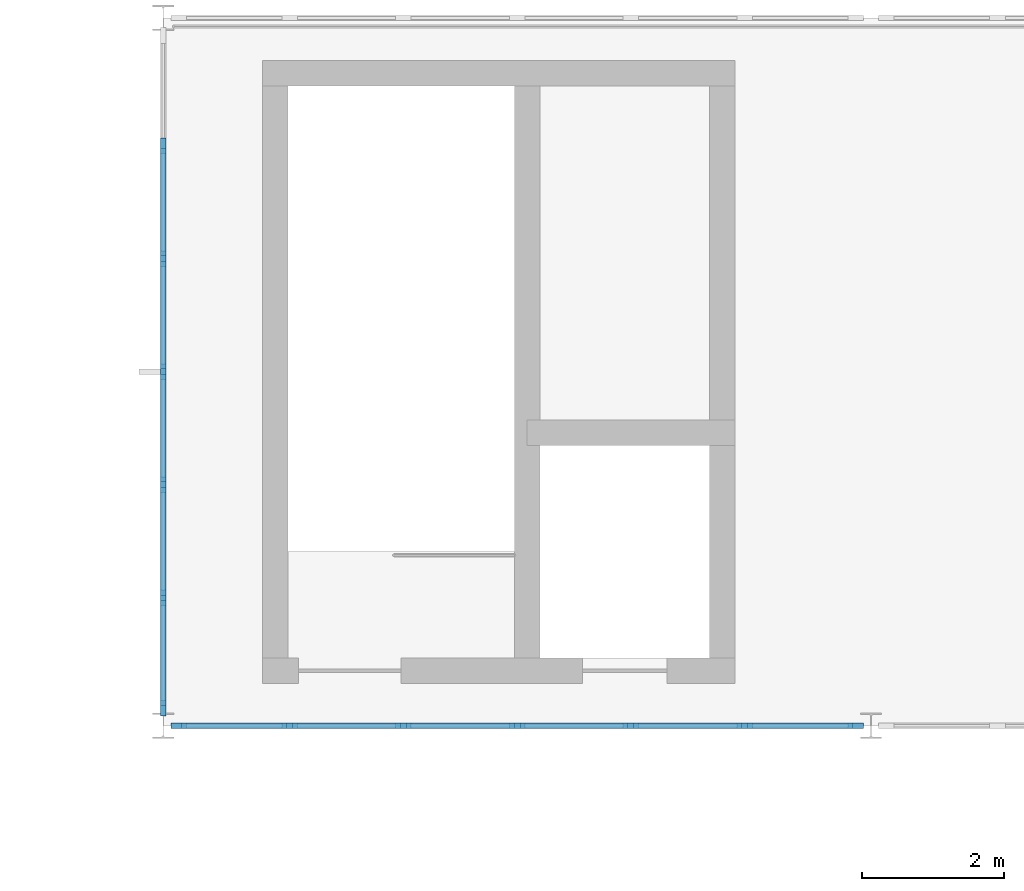
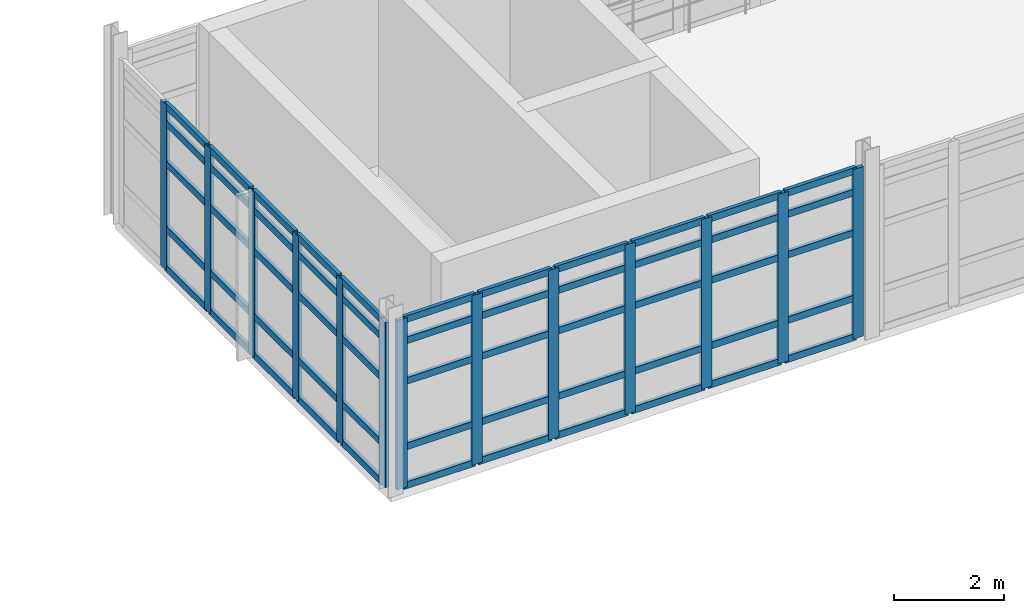
# One storey, part 36 of 122: 68 members, 2 elements without a shape of their own.
"""IFC4 building model written with IfcOpenShell, lengths in metres."""

from ifc_helpers import new_model, si_unit, direction, frame, origin, origin_2d, place, context, subcontext, project, spatial, rectangle, extrude, material, layer, layer_set, material_profile, profile_set, type_object, element, aggregate, save


model = new_model("IFC4")

# Units and contexts
model_context = context("Model", 3, precision=1e-05, world=origin(), true_north=direction((0.0, 1.0)))
body_context = subcontext(model_context, "Body", "Model", "MODEL_VIEW")
ifc_project = project(units=[si_unit("LENGTHUNIT", "METRE"), si_unit("AREAUNIT", "SQUARE_METRE"), si_unit("VOLUMEUNIT", "CUBIC_METRE"), si_unit("PLANEANGLEUNIT", "RADIAN"), si_unit("MASSUNIT", "GRAM", prefix="KILO"), si_unit("THERMODYNAMICTEMPERATUREUNIT", "KELVIN"), si_unit("POWERUNIT", "WATT")], contexts=[model_context])

# Site, building, storey
site_placement = place(None, origin())
site = spatial("IfcSite", under=ifc_project, at=site_placement, CompositionType="ELEMENT")
building_placement = place(site_placement, origin())
building = spatial("IfcBuilding", under=site, at=building_placement, Name="Korenveer Ferry Terminal", CompositionType="ELEMENT")
storey_placement = place(building_placement, frame((0.0, 0.0, 10.199951171875)))
storey = spatial("IfcBuildingStorey", under=building, at=storey_placement, Name="L02", CompositionType="ELEMENT", Elevation=10.199951171875)

# Curtain wall, members
ifc_material_1 = material(Name="Unitised bronze-and-glass curtain wall", Category="glass")
ifc_layer_1 = layer(ifc_material_1, 0.219970703125)
ifc_layer_set_1 = layer_set([ifc_layer_1], Name="Unitised bronze-and-glass curtain wall")
curtain_wall_type_1 = type_object("IfcCurtainWallType", Name="ENV-CW-90", PredefinedType="USERDEFINED", material=ifc_layer_set_1)
curtain_wall_1_placement = place(storey_placement, frame((53.179931640625, 50.0, 0.0)))
curtain_wall_1 = element("IfcCurtainWall", 1, at=curtain_wall_1_placement, inside=storey, type_object=curtain_wall_type_1, Name="Lancet curtain wall CWX-L02-X53-63-Y50-50", ObjectType="UNITISED CURTAIN WALL", PredefinedType="USERDEFINED")
ifc_material_2 = material(Name="Anodised bronze aluminium", Category="aluminium")
ifc_material_profile_1 = material_profile(ifc_material_2, rectangle(XDim=0.074951171875, YDim=0.219970703125, at=origin_2d()), Name="ALU 75x220")
ifc_profile_set_1 = profile_set([ifc_material_profile_1], Name="Anodised bronze aluminium")
member_type_1 = type_object("IfcMemberType", Name="ENV-CWM-75X220", PredefinedType="MULLION", material=ifc_profile_set_1)
member_1_placement = place(storey_placement, frame((53.217529296875, 50.0, 0.0), z_axis=(0.0, 0.0, 1.0), x_axis=(0.0, 1.0, 0.0)))
member_1 = element("IfcMember", 2, at=member_1_placement, type_object=member_type_1, Name="CW-90 mullion 1", PredefinedType="MULLION", context=body_context, shape_type="SweptSolid", body=[
    extrude(rectangle(XDim=0.074951171875, YDim=0.219970703125, at=origin_2d()), origin(), (0.0, 0.0, 1.0), 3.760009765625),
])
member_2_placement = place(storey_placement, frame((54.78662109375, 50.0, 0.0), z_axis=(0.0, 0.0, 1.0), x_axis=(0.0, 1.0, 0.0)))
member_2 = element("IfcMember", 3, at=member_2_placement, type_object=member_type_1, Name="CW-90 mullion 2", PredefinedType="MULLION", context=body_context, shape_type="SweptSolid", body=[
    extrude(rectangle(XDim=0.074951171875, YDim=0.219970703125, at=origin_2d()), origin(), (0.0, 0.0, 1.0), 3.760009765625),
])
member_3_placement = place(storey_placement, frame((56.393310546875, 50.0, 0.0), z_axis=(0.0, 0.0, 1.0), x_axis=(0.0, 1.0, 0.0)))
member_3 = element("IfcMember", 4, at=member_3_placement, type_object=member_type_1, Name="CW-90 mullion 3", PredefinedType="MULLION", context=body_context, shape_type="SweptSolid", body=[
    extrude(rectangle(XDim=0.074951171875, YDim=0.219970703125, at=origin_2d()), origin(), (0.0, 0.0, 1.0), 3.760009765625),
])
member_4_placement = place(storey_placement, frame((58.0, 50.0, 0.0), z_axis=(0.0, 0.0, 1.0), x_axis=(0.0, 1.0, 0.0)))
member_4 = element("IfcMember", 5, at=member_4_placement, type_object=member_type_1, Name="CW-90 mullion 4", PredefinedType="MULLION", context=body_context, shape_type="SweptSolid", body=[
    extrude(rectangle(XDim=0.074951171875, YDim=0.219970703125, at=origin_2d()), origin(), (0.0, 0.0, 1.0), 3.760009765625),
])
member_5_placement = place(storey_placement, frame((59.606689453125, 50.0, 0.0), z_axis=(0.0, 0.0, 1.0), x_axis=(0.0, 1.0, 0.0)))
member_5 = element("IfcMember", 6, at=member_5_placement, type_object=member_type_1, Name="CW-90 mullion 5", PredefinedType="MULLION", context=body_context, shape_type="SweptSolid", body=[
    extrude(rectangle(XDim=0.074951171875, YDim=0.219970703125, at=origin_2d()), origin(), (0.0, 0.0, 1.0), 3.760009765625),
])
member_6_placement = place(storey_placement, frame((61.21337890625, 50.0, 0.0), z_axis=(0.0, 0.0, 1.0), x_axis=(0.0, 1.0, 0.0)))
member_6 = element("IfcMember", 7, at=member_6_placement, type_object=member_type_1, Name="CW-90 mullion 6", PredefinedType="MULLION", context=body_context, shape_type="SweptSolid", body=[
    extrude(rectangle(XDim=0.074951171875, YDim=0.219970703125, at=origin_2d()), origin(), (0.0, 0.0, 1.0), 3.760009765625),
])
member_7_placement = place(storey_placement, frame((62.782470703125, 50.0, 0.0), z_axis=(0.0, 0.0, 1.0), x_axis=(0.0, 1.0, 0.0)))
member_7 = element("IfcMember", 8, at=member_7_placement, type_object=member_type_1, Name="CW-90 mullion 7", PredefinedType="MULLION", context=body_context, shape_type="SweptSolid", body=[
    extrude(rectangle(XDim=0.074951171875, YDim=0.219970703125, at=origin_2d()), origin(), (0.0, 0.0, 1.0), 3.760009765625),
])

ifc_layer_2 = layer(ifc_material_1, 0.219970703125)
ifc_layer_set_2 = layer_set([ifc_layer_2], Name="Unitised bronze-and-glass curtain wall")
curtain_wall_type_2 = type_object("IfcCurtainWallType", Name="ENV-CW-115", PredefinedType="USERDEFINED", material=ifc_layer_set_2)
curtain_wall_2_placement = place(storey_placement, frame((53.0, 50.2099609375, 0.0)))
curtain_wall_2 = element("IfcCurtainWall", 9, at=curtain_wall_2_placement, inside=storey, type_object=curtain_wall_type_2, Name="Lancet curtain wall CWX-L02-X53-53-Y50-60", ObjectType="UNITISED CURTAIN WALL", PredefinedType="USERDEFINED")
member_8_placement = place(storey_placement, frame((53.0, 50.24755859375, 0.0), z_axis=(0.0, 0.0, 1.0), x_axis=(-1.0, 0.0, 0.0)))
member_8 = element("IfcMember", 10, at=member_8_placement, type_object=member_type_1, Name="CW-115 mullion 1", PredefinedType="MULLION", context=body_context, shape_type="SweptSolid", body=[
    extrude(rectangle(XDim=0.074951171875, YDim=0.219970703125, at=origin_2d()), origin(), (0.0, 0.0, 1.0), 3.66015625),
])
member_9_placement = place(storey_placement, frame((53.0, 51.806640625, 0.0), z_axis=(0.0, 0.0, 1.0), x_axis=(-1.0, 0.0, 0.0)))
member_9 = element("IfcMember", 11, at=member_9_placement, type_object=member_type_1, Name="CW-115 mullion 2", PredefinedType="MULLION", context=body_context, shape_type="SweptSolid", body=[
    extrude(rectangle(XDim=0.074951171875, YDim=0.219970703125, at=origin_2d()), origin(), (0.0, 0.0, 1.0), 3.66015625),
])
member_10_placement = place(storey_placement, frame((53.0, 53.4033203125, 0.0), z_axis=(0.0, 0.0, 1.0), x_axis=(-1.0, 0.0, 0.0)))
member_10 = element("IfcMember", 12, at=member_10_placement, type_object=member_type_1, Name="CW-115 mullion 3", PredefinedType="MULLION", context=body_context, shape_type="SweptSolid", body=[
    extrude(rectangle(XDim=0.074951171875, YDim=0.219970703125, at=origin_2d()), origin(), (0.0, 0.0, 1.0), 3.66015625),
])
member_11_placement = place(storey_placement, frame((53.0, 55.0, 0.0), z_axis=(0.0, 0.0, 1.0), x_axis=(-1.0, 0.0, 0.0)))
member_11 = element("IfcMember", 13, at=member_11_placement, type_object=member_type_1, Name="CW-115 mullion 4", PredefinedType="MULLION", context=body_context, shape_type="SweptSolid", body=[
    extrude(rectangle(XDim=0.074951171875, YDim=0.219970703125, at=origin_2d()), origin(), (0.0, 0.0, 1.0), 3.66015625),
])
member_12_placement = place(storey_placement, frame((53.0, 56.5966796875, 0.0), z_axis=(0.0, 0.0, 1.0), x_axis=(-1.0, 0.0, 0.0)))
member_12 = element("IfcMember", 14, at=member_12_placement, type_object=member_type_1, Name="CW-115 mullion 5", PredefinedType="MULLION", context=body_context, shape_type="SweptSolid", body=[
    extrude(rectangle(XDim=0.074951171875, YDim=0.219970703125, at=origin_2d()), origin(), (0.0, 0.0, 1.0), 3.66015625),
])
member_13_placement = place(storey_placement, frame((53.0, 58.193359375, 0.0), z_axis=(0.0, 0.0, 1.0), x_axis=(-1.0, 0.0, 0.0)))
member_13 = element("IfcMember", 15, at=member_13_placement, type_object=member_type_1, Name="CW-115 mullion 6", PredefinedType="MULLION", context=body_context, shape_type="SweptSolid", body=[
    extrude(rectangle(XDim=0.074951171875, YDim=0.219970703125, at=origin_2d()), origin(), (0.0, 0.0, 1.0), 3.66015625),
])

# Member
ifc_material_profile_2 = material_profile(ifc_material_2, rectangle(XDim=0.074951171875, YDim=0.14990234375, at=origin_2d()), Name="ALU 75x150")
ifc_profile_set_2 = profile_set([ifc_material_profile_2], Name="Anodised bronze aluminium")
member_type_2 = type_object("IfcMemberType", Name="ENV-CWT-75X150", PredefinedType="USERDEFINED", material=ifc_profile_set_2)
member_14_placement = place(storey_placement, frame((53.2548828125, 50.0, 0.03759765625), z_axis=(1.0, 0.0, 0.0), x_axis=(0.0, 1.0, 0.0)))
member_14 = element("IfcMember", 16, at=member_14_placement, type_object=member_type_2, Name="CW-90 transom 1.1", ObjectType="TRANSOM", PredefinedType="USERDEFINED", context=body_context, shape_type="SweptSolid", body=[
    extrude(rectangle(XDim=0.074951171875, YDim=0.14990234375, at=origin_2d()), origin(), (0.0, 0.0, 1.0), 1.494384765625),
])

member_15_placement = place(storey_placement, frame((53.2548828125, 50.0, 0.900146484375), z_axis=(1.0, 0.0, 0.0), x_axis=(0.0, 1.0, 0.0)))
member_15 = element("IfcMember", 17, at=member_15_placement, type_object=member_type_2, Name="CW-90 transom 1.2", ObjectType="TRANSOM", PredefinedType="USERDEFINED", context=body_context, shape_type="SweptSolid", body=[
    extrude(rectangle(XDim=0.074951171875, YDim=0.14990234375, at=origin_2d()), origin(), (0.0, 0.0, 1.0), 1.494384765625),
])

member_16_placement = place(storey_placement, frame((53.2548828125, 50.0, 2.35009765625), z_axis=(1.0, 0.0, 0.0), x_axis=(0.0, 1.0, 0.0)))
member_16 = element("IfcMember", 18, at=member_16_placement, type_object=member_type_2, Name="CW-90 transom 1.3", ObjectType="TRANSOM", PredefinedType="USERDEFINED", context=body_context, shape_type="SweptSolid", body=[
    extrude(rectangle(XDim=0.074951171875, YDim=0.14990234375, at=origin_2d()), origin(), (0.0, 0.0, 1.0), 1.494384765625),
])

member_17_placement = place(storey_placement, frame((53.2548828125, 50.0, 3.25), z_axis=(1.0, 0.0, 0.0), x_axis=(0.0, 1.0, 0.0)))
member_17 = element("IfcMember", 19, at=member_17_placement, type_object=member_type_2, Name="CW-90 transom 1.4", ObjectType="TRANSOM", PredefinedType="USERDEFINED", context=body_context, shape_type="SweptSolid", body=[
    extrude(rectangle(XDim=0.074951171875, YDim=0.14990234375, at=origin_2d()), origin(), (0.0, 0.0, 1.0), 1.494384765625),
])

member_18_placement = place(storey_placement, frame((53.2548828125, 50.0, 3.72265625), z_axis=(1.0, 0.0, 0.0), x_axis=(0.0, 1.0, 0.0)))
member_18 = element("IfcMember", 20, at=member_18_placement, type_object=member_type_2, Name="CW-90 transom 1.5", ObjectType="TRANSOM", PredefinedType="USERDEFINED", context=body_context, shape_type="SweptSolid", body=[
    extrude(rectangle(XDim=0.074951171875, YDim=0.14990234375, at=origin_2d()), origin(), (0.0, 0.0, 1.0), 1.494384765625),
])

member_19_placement = place(storey_placement, frame((54.82421875, 50.0, 0.03759765625), z_axis=(1.0, 0.0, 0.0), x_axis=(0.0, 1.0, 0.0)))
member_19 = element("IfcMember", 21, at=member_19_placement, type_object=member_type_2, Name="CW-90 transom 2.1", ObjectType="TRANSOM", PredefinedType="USERDEFINED", context=body_context, shape_type="SweptSolid", body=[
    extrude(rectangle(XDim=0.074951171875, YDim=0.14990234375, at=origin_2d()), origin(), (0.0, 0.0, 1.0), 1.531494140625),
])

member_20_placement = place(storey_placement, frame((54.82421875, 50.0, 0.900146484375), z_axis=(1.0, 0.0, 0.0), x_axis=(0.0, 1.0, 0.0)))
member_20 = element("IfcMember", 22, at=member_20_placement, type_object=member_type_2, Name="CW-90 transom 2.2", ObjectType="TRANSOM", PredefinedType="USERDEFINED", context=body_context, shape_type="SweptSolid", body=[
    extrude(rectangle(XDim=0.074951171875, YDim=0.14990234375, at=origin_2d()), origin(), (0.0, 0.0, 1.0), 1.531494140625),
])

member_21_placement = place(storey_placement, frame((54.82421875, 50.0, 2.35009765625), z_axis=(1.0, 0.0, 0.0), x_axis=(0.0, 1.0, 0.0)))
member_21 = element("IfcMember", 23, at=member_21_placement, type_object=member_type_2, Name="CW-90 transom 2.3", ObjectType="TRANSOM", PredefinedType="USERDEFINED", context=body_context, shape_type="SweptSolid", body=[
    extrude(rectangle(XDim=0.074951171875, YDim=0.14990234375, at=origin_2d()), origin(), (0.0, 0.0, 1.0), 1.531494140625),
])

member_22_placement = place(storey_placement, frame((54.82421875, 50.0, 3.25), z_axis=(1.0, 0.0, 0.0), x_axis=(0.0, 1.0, 0.0)))
member_22 = element("IfcMember", 24, at=member_22_placement, type_object=member_type_2, Name="CW-90 transom 2.4", ObjectType="TRANSOM", PredefinedType="USERDEFINED", context=body_context, shape_type="SweptSolid", body=[
    extrude(rectangle(XDim=0.074951171875, YDim=0.14990234375, at=origin_2d()), origin(), (0.0, 0.0, 1.0), 1.531494140625),
])

member_23_placement = place(storey_placement, frame((54.82421875, 50.0, 3.72265625), z_axis=(1.0, 0.0, 0.0), x_axis=(0.0, 1.0, 0.0)))
member_23 = element("IfcMember", 25, at=member_23_placement, type_object=member_type_2, Name="CW-90 transom 2.5", ObjectType="TRANSOM", PredefinedType="USERDEFINED", context=body_context, shape_type="SweptSolid", body=[
    extrude(rectangle(XDim=0.074951171875, YDim=0.14990234375, at=origin_2d()), origin(), (0.0, 0.0, 1.0), 1.531494140625),
])

member_24_placement = place(storey_placement, frame((56.430908203125, 50.0, 0.03759765625), z_axis=(1.0, 0.0, 0.0), x_axis=(0.0, 1.0, 0.0)))
member_24 = element("IfcMember", 26, at=member_24_placement, type_object=member_type_2, Name="CW-90 transom 3.1", ObjectType="TRANSOM", PredefinedType="USERDEFINED", context=body_context, shape_type="SweptSolid", body=[
    extrude(rectangle(XDim=0.074951171875, YDim=0.14990234375, at=origin_2d()), origin(), (0.0, 0.0, 1.0), 1.531494140625),
])

member_25_placement = place(storey_placement, frame((56.430908203125, 50.0, 0.900146484375), z_axis=(1.0, 0.0, 0.0), x_axis=(0.0, 1.0, 0.0)))
member_25 = element("IfcMember", 27, at=member_25_placement, type_object=member_type_2, Name="CW-90 transom 3.2", ObjectType="TRANSOM", PredefinedType="USERDEFINED", context=body_context, shape_type="SweptSolid", body=[
    extrude(rectangle(XDim=0.074951171875, YDim=0.14990234375, at=origin_2d()), origin(), (0.0, 0.0, 1.0), 1.531494140625),
])

member_26_placement = place(storey_placement, frame((56.430908203125, 50.0, 2.35009765625), z_axis=(1.0, 0.0, 0.0), x_axis=(0.0, 1.0, 0.0)))
member_26 = element("IfcMember", 28, at=member_26_placement, type_object=member_type_2, Name="CW-90 transom 3.3", ObjectType="TRANSOM", PredefinedType="USERDEFINED", context=body_context, shape_type="SweptSolid", body=[
    extrude(rectangle(XDim=0.074951171875, YDim=0.14990234375, at=origin_2d()), origin(), (0.0, 0.0, 1.0), 1.531494140625),
])

member_27_placement = place(storey_placement, frame((56.430908203125, 50.0, 3.25), z_axis=(1.0, 0.0, 0.0), x_axis=(0.0, 1.0, 0.0)))
member_27 = element("IfcMember", 29, at=member_27_placement, type_object=member_type_2, Name="CW-90 transom 3.4", ObjectType="TRANSOM", PredefinedType="USERDEFINED", context=body_context, shape_type="SweptSolid", body=[
    extrude(rectangle(XDim=0.074951171875, YDim=0.14990234375, at=origin_2d()), origin(), (0.0, 0.0, 1.0), 1.531494140625),
])

member_28_placement = place(storey_placement, frame((56.430908203125, 50.0, 3.72265625), z_axis=(1.0, 0.0, 0.0), x_axis=(0.0, 1.0, 0.0)))
member_28 = element("IfcMember", 30, at=member_28_placement, type_object=member_type_2, Name="CW-90 transom 3.5", ObjectType="TRANSOM", PredefinedType="USERDEFINED", context=body_context, shape_type="SweptSolid", body=[
    extrude(rectangle(XDim=0.074951171875, YDim=0.14990234375, at=origin_2d()), origin(), (0.0, 0.0, 1.0), 1.531494140625),
])

member_29_placement = place(storey_placement, frame((58.03759765625, 50.0, 0.03759765625), z_axis=(1.0, 0.0, 0.0), x_axis=(0.0, 1.0, 0.0)))
member_29 = element("IfcMember", 31, at=member_29_placement, type_object=member_type_2, Name="CW-90 transom 4.1", ObjectType="TRANSOM", PredefinedType="USERDEFINED", context=body_context, shape_type="SweptSolid", body=[
    extrude(rectangle(XDim=0.074951171875, YDim=0.14990234375, at=origin_2d()), origin(), (0.0, 0.0, 1.0), 1.531494140625),
])

member_30_placement = place(storey_placement, frame((58.03759765625, 50.0, 0.900146484375), z_axis=(1.0, 0.0, 0.0), x_axis=(0.0, 1.0, 0.0)))
member_30 = element("IfcMember", 32, at=member_30_placement, type_object=member_type_2, Name="CW-90 transom 4.2", ObjectType="TRANSOM", PredefinedType="USERDEFINED", context=body_context, shape_type="SweptSolid", body=[
    extrude(rectangle(XDim=0.074951171875, YDim=0.14990234375, at=origin_2d()), origin(), (0.0, 0.0, 1.0), 1.531494140625),
])

member_31_placement = place(storey_placement, frame((58.03759765625, 50.0, 2.35009765625), z_axis=(1.0, 0.0, 0.0), x_axis=(0.0, 1.0, 0.0)))
member_31 = element("IfcMember", 33, at=member_31_placement, type_object=member_type_2, Name="CW-90 transom 4.3", ObjectType="TRANSOM", PredefinedType="USERDEFINED", context=body_context, shape_type="SweptSolid", body=[
    extrude(rectangle(XDim=0.074951171875, YDim=0.14990234375, at=origin_2d()), origin(), (0.0, 0.0, 1.0), 1.531494140625),
])

member_32_placement = place(storey_placement, frame((58.03759765625, 50.0, 3.25), z_axis=(1.0, 0.0, 0.0), x_axis=(0.0, 1.0, 0.0)))
member_32 = element("IfcMember", 34, at=member_32_placement, type_object=member_type_2, Name="CW-90 transom 4.4", ObjectType="TRANSOM", PredefinedType="USERDEFINED", context=body_context, shape_type="SweptSolid", body=[
    extrude(rectangle(XDim=0.074951171875, YDim=0.14990234375, at=origin_2d()), origin(), (0.0, 0.0, 1.0), 1.531494140625),
])

member_33_placement = place(storey_placement, frame((58.03759765625, 50.0, 3.72265625), z_axis=(1.0, 0.0, 0.0), x_axis=(0.0, 1.0, 0.0)))
member_33 = element("IfcMember", 35, at=member_33_placement, type_object=member_type_2, Name="CW-90 transom 4.5", ObjectType="TRANSOM", PredefinedType="USERDEFINED", context=body_context, shape_type="SweptSolid", body=[
    extrude(rectangle(XDim=0.074951171875, YDim=0.14990234375, at=origin_2d()), origin(), (0.0, 0.0, 1.0), 1.531494140625),
])

member_34_placement = place(storey_placement, frame((59.644287109375, 50.0, 0.03759765625), z_axis=(1.0, 0.0, 0.0), x_axis=(0.0, 1.0, 0.0)))
member_34 = element("IfcMember", 36, at=member_34_placement, type_object=member_type_2, Name="CW-90 transom 5.1", ObjectType="TRANSOM", PredefinedType="USERDEFINED", context=body_context, shape_type="SweptSolid", body=[
    extrude(rectangle(XDim=0.074951171875, YDim=0.14990234375, at=origin_2d()), origin(), (0.0, 0.0, 1.0), 1.531494140625),
])

member_35_placement = place(storey_placement, frame((59.644287109375, 50.0, 0.900146484375), z_axis=(1.0, 0.0, 0.0), x_axis=(0.0, 1.0, 0.0)))
member_35 = element("IfcMember", 37, at=member_35_placement, type_object=member_type_2, Name="CW-90 transom 5.2", ObjectType="TRANSOM", PredefinedType="USERDEFINED", context=body_context, shape_type="SweptSolid", body=[
    extrude(rectangle(XDim=0.074951171875, YDim=0.14990234375, at=origin_2d()), origin(), (0.0, 0.0, 1.0), 1.531494140625),
])

member_36_placement = place(storey_placement, frame((59.644287109375, 50.0, 2.35009765625), z_axis=(1.0, 0.0, 0.0), x_axis=(0.0, 1.0, 0.0)))
member_36 = element("IfcMember", 38, at=member_36_placement, type_object=member_type_2, Name="CW-90 transom 5.3", ObjectType="TRANSOM", PredefinedType="USERDEFINED", context=body_context, shape_type="SweptSolid", body=[
    extrude(rectangle(XDim=0.074951171875, YDim=0.14990234375, at=origin_2d()), origin(), (0.0, 0.0, 1.0), 1.531494140625),
])

member_37_placement = place(storey_placement, frame((59.644287109375, 50.0, 3.25), z_axis=(1.0, 0.0, 0.0), x_axis=(0.0, 1.0, 0.0)))
member_37 = element("IfcMember", 39, at=member_37_placement, type_object=member_type_2, Name="CW-90 transom 5.4", ObjectType="TRANSOM", PredefinedType="USERDEFINED", context=body_context, shape_type="SweptSolid", body=[
    extrude(rectangle(XDim=0.074951171875, YDim=0.14990234375, at=origin_2d()), origin(), (0.0, 0.0, 1.0), 1.531494140625),
])

member_38_placement = place(storey_placement, frame((59.644287109375, 50.0, 3.72265625), z_axis=(1.0, 0.0, 0.0), x_axis=(0.0, 1.0, 0.0)))
member_38 = element("IfcMember", 40, at=member_38_placement, type_object=member_type_2, Name="CW-90 transom 5.5", ObjectType="TRANSOM", PredefinedType="USERDEFINED", context=body_context, shape_type="SweptSolid", body=[
    extrude(rectangle(XDim=0.074951171875, YDim=0.14990234375, at=origin_2d()), origin(), (0.0, 0.0, 1.0), 1.531494140625),
])

member_39_placement = place(storey_placement, frame((61.250732421875, 50.0, 0.03759765625), z_axis=(1.0, 0.0, 0.0), x_axis=(0.0, 1.0, 0.0)))
member_39 = element("IfcMember", 41, at=member_39_placement, type_object=member_type_2, Name="CW-90 transom 6.1", ObjectType="TRANSOM", PredefinedType="USERDEFINED", context=body_context, shape_type="SweptSolid", body=[
    extrude(rectangle(XDim=0.074951171875, YDim=0.14990234375, at=origin_2d()), origin(), (0.0, 0.0, 1.0), 1.494384765625),
])

member_40_placement = place(storey_placement, frame((61.250732421875, 50.0, 0.900146484375), z_axis=(1.0, 0.0, 0.0), x_axis=(0.0, 1.0, 0.0)))
member_40 = element("IfcMember", 42, at=member_40_placement, type_object=member_type_2, Name="CW-90 transom 6.2", ObjectType="TRANSOM", PredefinedType="USERDEFINED", context=body_context, shape_type="SweptSolid", body=[
    extrude(rectangle(XDim=0.074951171875, YDim=0.14990234375, at=origin_2d()), origin(), (0.0, 0.0, 1.0), 1.494384765625),
])

member_41_placement = place(storey_placement, frame((61.250732421875, 50.0, 2.35009765625), z_axis=(1.0, 0.0, 0.0), x_axis=(0.0, 1.0, 0.0)))
member_41 = element("IfcMember", 43, at=member_41_placement, type_object=member_type_2, Name="CW-90 transom 6.3", ObjectType="TRANSOM", PredefinedType="USERDEFINED", context=body_context, shape_type="SweptSolid", body=[
    extrude(rectangle(XDim=0.074951171875, YDim=0.14990234375, at=origin_2d()), origin(), (0.0, 0.0, 1.0), 1.494384765625),
])

member_42_placement = place(storey_placement, frame((61.250732421875, 50.0, 3.25), z_axis=(1.0, 0.0, 0.0), x_axis=(0.0, 1.0, 0.0)))
member_42 = element("IfcMember", 44, at=member_42_placement, type_object=member_type_2, Name="CW-90 transom 6.4", ObjectType="TRANSOM", PredefinedType="USERDEFINED", context=body_context, shape_type="SweptSolid", body=[
    extrude(rectangle(XDim=0.074951171875, YDim=0.14990234375, at=origin_2d()), origin(), (0.0, 0.0, 1.0), 1.494384765625),
])

member_43_placement = place(storey_placement, frame((61.250732421875, 50.0, 3.72265625), z_axis=(1.0, 0.0, 0.0), x_axis=(0.0, 1.0, 0.0)))
member_43 = element("IfcMember", 45, at=member_43_placement, type_object=member_type_2, Name="CW-90 transom 6.5", ObjectType="TRANSOM", PredefinedType="USERDEFINED", context=body_context, shape_type="SweptSolid", body=[
    extrude(rectangle(XDim=0.074951171875, YDim=0.14990234375, at=origin_2d()), origin(), (0.0, 0.0, 1.0), 1.494384765625),
])

aggregate(curtain_wall_1, [member_1, member_2, member_3, member_4, member_5, member_6, member_7, member_14, member_15, member_16, member_17, member_18, member_19, member_20, member_21, member_22, member_23, member_24, member_25, member_26, member_27, member_28, member_29, member_30, member_31, member_32, member_33, member_34, member_35, member_36, member_37, member_38, member_39, member_40, member_41, member_42, member_43])

member_44_placement = place(storey_placement, frame((53.0, 50.284912109375, 0.03759765625), z_axis=(0.0, 1.0, 0.0), x_axis=(-1.0, 0.0, 0.0)))
member_44 = element("IfcMember", 46, at=member_44_placement, type_object=member_type_2, Name="CW-115 transom 1.1", ObjectType="TRANSOM", PredefinedType="USERDEFINED", context=body_context, shape_type="SweptSolid", body=[
    extrude(rectangle(XDim=0.074951171875, YDim=0.14990234375, at=origin_2d()), origin(), (0.0, 0.0, 1.0), 1.484375),
])

member_45_placement = place(storey_placement, frame((53.0, 50.284912109375, 0.900146484375), z_axis=(0.0, 1.0, 0.0), x_axis=(-1.0, 0.0, 0.0)))
member_45 = element("IfcMember", 47, at=member_45_placement, type_object=member_type_2, Name="CW-115 transom 1.2", ObjectType="TRANSOM", PredefinedType="USERDEFINED", context=body_context, shape_type="SweptSolid", body=[
    extrude(rectangle(XDim=0.074951171875, YDim=0.14990234375, at=origin_2d()), origin(), (0.0, 0.0, 1.0), 1.484375),
])

member_46_placement = place(storey_placement, frame((53.0, 50.284912109375, 2.35009765625), z_axis=(0.0, 1.0, 0.0), x_axis=(-1.0, 0.0, 0.0)))
member_46 = element("IfcMember", 48, at=member_46_placement, type_object=member_type_2, Name="CW-115 transom 1.3", ObjectType="TRANSOM", PredefinedType="USERDEFINED", context=body_context, shape_type="SweptSolid", body=[
    extrude(rectangle(XDim=0.074951171875, YDim=0.14990234375, at=origin_2d()), origin(), (0.0, 0.0, 1.0), 1.484375),
])

member_47_placement = place(storey_placement, frame((53.0, 50.284912109375, 3.25), z_axis=(0.0, 1.0, 0.0), x_axis=(-1.0, 0.0, 0.0)))
member_47 = element("IfcMember", 49, at=member_47_placement, type_object=member_type_2, Name="CW-115 transom 1.4", ObjectType="TRANSOM", PredefinedType="USERDEFINED", context=body_context, shape_type="SweptSolid", body=[
    extrude(rectangle(XDim=0.074951171875, YDim=0.14990234375, at=origin_2d()), origin(), (0.0, 0.0, 1.0), 1.484375),
])

member_48_placement = place(storey_placement, frame((53.0, 50.284912109375, 3.62255859375), z_axis=(0.0, 1.0, 0.0), x_axis=(-1.0, 0.0, 0.0)))
member_48 = element("IfcMember", 50, at=member_48_placement, type_object=member_type_2, Name="CW-115 transom 1.5", ObjectType="TRANSOM", PredefinedType="USERDEFINED", context=body_context, shape_type="SweptSolid", body=[
    extrude(rectangle(XDim=0.074951171875, YDim=0.14990234375, at=origin_2d()), origin(), (0.0, 0.0, 1.0), 1.484375),
])

member_49_placement = place(storey_placement, frame((53.0, 51.84423828125, 0.03759765625), z_axis=(0.0, 1.0, 0.0), x_axis=(-1.0, 0.0, 0.0)))
member_49 = element("IfcMember", 51, at=member_49_placement, type_object=member_type_2, Name="CW-115 transom 2.1", ObjectType="TRANSOM", PredefinedType="USERDEFINED", context=body_context, shape_type="SweptSolid", body=[
    extrude(rectangle(XDim=0.074951171875, YDim=0.14990234375, at=origin_2d()), origin(), (0.0, 0.0, 1.0), 1.521484375),
])

member_50_placement = place(storey_placement, frame((53.0, 51.84423828125, 0.900146484375), z_axis=(0.0, 1.0, 0.0), x_axis=(-1.0, 0.0, 0.0)))
member_50 = element("IfcMember", 52, at=member_50_placement, type_object=member_type_2, Name="CW-115 transom 2.2", ObjectType="TRANSOM", PredefinedType="USERDEFINED", context=body_context, shape_type="SweptSolid", body=[
    extrude(rectangle(XDim=0.074951171875, YDim=0.14990234375, at=origin_2d()), origin(), (0.0, 0.0, 1.0), 1.521484375),
])

member_51_placement = place(storey_placement, frame((53.0, 51.84423828125, 2.35009765625), z_axis=(0.0, 1.0, 0.0), x_axis=(-1.0, 0.0, 0.0)))
member_51 = element("IfcMember", 53, at=member_51_placement, type_object=member_type_2, Name="CW-115 transom 2.3", ObjectType="TRANSOM", PredefinedType="USERDEFINED", context=body_context, shape_type="SweptSolid", body=[
    extrude(rectangle(XDim=0.074951171875, YDim=0.14990234375, at=origin_2d()), origin(), (0.0, 0.0, 1.0), 1.521484375),
])

member_52_placement = place(storey_placement, frame((53.0, 51.84423828125, 3.25), z_axis=(0.0, 1.0, 0.0), x_axis=(-1.0, 0.0, 0.0)))
member_52 = element("IfcMember", 54, at=member_52_placement, type_object=member_type_2, Name="CW-115 transom 2.4", ObjectType="TRANSOM", PredefinedType="USERDEFINED", context=body_context, shape_type="SweptSolid", body=[
    extrude(rectangle(XDim=0.074951171875, YDim=0.14990234375, at=origin_2d()), origin(), (0.0, 0.0, 1.0), 1.521484375),
])

member_53_placement = place(storey_placement, frame((53.0, 51.84423828125, 3.62255859375), z_axis=(0.0, 1.0, 0.0), x_axis=(-1.0, 0.0, 0.0)))
member_53 = element("IfcMember", 55, at=member_53_placement, type_object=member_type_2, Name="CW-115 transom 2.5", ObjectType="TRANSOM", PredefinedType="USERDEFINED", context=body_context, shape_type="SweptSolid", body=[
    extrude(rectangle(XDim=0.074951171875, YDim=0.14990234375, at=origin_2d()), origin(), (0.0, 0.0, 1.0), 1.521484375),
])

member_54_placement = place(storey_placement, frame((53.0, 53.44091796875, 0.03759765625), z_axis=(0.0, 1.0, 0.0), x_axis=(-1.0, 0.0, 0.0)))
member_54 = element("IfcMember", 56, at=member_54_placement, type_object=member_type_2, Name="CW-115 transom 3.1", ObjectType="TRANSOM", PredefinedType="USERDEFINED", context=body_context, shape_type="SweptSolid", body=[
    extrude(rectangle(XDim=0.074951171875, YDim=0.14990234375, at=origin_2d()), origin(), (0.0, 0.0, 1.0), 1.521484375),
])

member_55_placement = place(storey_placement, frame((53.0, 53.44091796875, 0.900146484375), z_axis=(0.0, 1.0, 0.0), x_axis=(-1.0, 0.0, 0.0)))
member_55 = element("IfcMember", 57, at=member_55_placement, type_object=member_type_2, Name="CW-115 transom 3.2", ObjectType="TRANSOM", PredefinedType="USERDEFINED", context=body_context, shape_type="SweptSolid", body=[
    extrude(rectangle(XDim=0.074951171875, YDim=0.14990234375, at=origin_2d()), origin(), (0.0, 0.0, 1.0), 1.521484375),
])

member_56_placement = place(storey_placement, frame((53.0, 53.44091796875, 2.35009765625), z_axis=(0.0, 1.0, 0.0), x_axis=(-1.0, 0.0, 0.0)))
member_56 = element("IfcMember", 58, at=member_56_placement, type_object=member_type_2, Name="CW-115 transom 3.3", ObjectType="TRANSOM", PredefinedType="USERDEFINED", context=body_context, shape_type="SweptSolid", body=[
    extrude(rectangle(XDim=0.074951171875, YDim=0.14990234375, at=origin_2d()), origin(), (0.0, 0.0, 1.0), 1.521484375),
])

member_57_placement = place(storey_placement, frame((53.0, 53.44091796875, 3.25), z_axis=(0.0, 1.0, 0.0), x_axis=(-1.0, 0.0, 0.0)))
member_57 = element("IfcMember", 59, at=member_57_placement, type_object=member_type_2, Name="CW-115 transom 3.4", ObjectType="TRANSOM", PredefinedType="USERDEFINED", context=body_context, shape_type="SweptSolid", body=[
    extrude(rectangle(XDim=0.074951171875, YDim=0.14990234375, at=origin_2d()), origin(), (0.0, 0.0, 1.0), 1.521484375),
])

member_58_placement = place(storey_placement, frame((53.0, 53.44091796875, 3.62255859375), z_axis=(0.0, 1.0, 0.0), x_axis=(-1.0, 0.0, 0.0)))
member_58 = element("IfcMember", 60, at=member_58_placement, type_object=member_type_2, Name="CW-115 transom 3.5", ObjectType="TRANSOM", PredefinedType="USERDEFINED", context=body_context, shape_type="SweptSolid", body=[
    extrude(rectangle(XDim=0.074951171875, YDim=0.14990234375, at=origin_2d()), origin(), (0.0, 0.0, 1.0), 1.521484375),
])

member_59_placement = place(storey_placement, frame((53.0, 55.03759765625, 0.03759765625), z_axis=(0.0, 1.0, 0.0), x_axis=(-1.0, 0.0, 0.0)))
member_59 = element("IfcMember", 61, at=member_59_placement, type_object=member_type_2, Name="CW-115 transom 4.1", ObjectType="TRANSOM", PredefinedType="USERDEFINED", context=body_context, shape_type="SweptSolid", body=[
    extrude(rectangle(XDim=0.074951171875, YDim=0.14990234375, at=origin_2d()), origin(), (0.0, 0.0, 1.0), 1.521484375),
])

member_60_placement = place(storey_placement, frame((53.0, 55.03759765625, 0.900146484375), z_axis=(0.0, 1.0, 0.0), x_axis=(-1.0, 0.0, 0.0)))
member_60 = element("IfcMember", 62, at=member_60_placement, type_object=member_type_2, Name="CW-115 transom 4.2", ObjectType="TRANSOM", PredefinedType="USERDEFINED", context=body_context, shape_type="SweptSolid", body=[
    extrude(rectangle(XDim=0.074951171875, YDim=0.14990234375, at=origin_2d()), origin(), (0.0, 0.0, 1.0), 1.521484375),
])

member_61_placement = place(storey_placement, frame((53.0, 55.03759765625, 2.35009765625), z_axis=(0.0, 1.0, 0.0), x_axis=(-1.0, 0.0, 0.0)))
member_61 = element("IfcMember", 63, at=member_61_placement, type_object=member_type_2, Name="CW-115 transom 4.3", ObjectType="TRANSOM", PredefinedType="USERDEFINED", context=body_context, shape_type="SweptSolid", body=[
    extrude(rectangle(XDim=0.074951171875, YDim=0.14990234375, at=origin_2d()), origin(), (0.0, 0.0, 1.0), 1.521484375),
])

member_62_placement = place(storey_placement, frame((53.0, 55.03759765625, 3.25), z_axis=(0.0, 1.0, 0.0), x_axis=(-1.0, 0.0, 0.0)))
member_62 = element("IfcMember", 64, at=member_62_placement, type_object=member_type_2, Name="CW-115 transom 4.4", ObjectType="TRANSOM", PredefinedType="USERDEFINED", context=body_context, shape_type="SweptSolid", body=[
    extrude(rectangle(XDim=0.074951171875, YDim=0.14990234375, at=origin_2d()), origin(), (0.0, 0.0, 1.0), 1.521484375),
])

member_63_placement = place(storey_placement, frame((53.0, 55.03759765625, 3.62255859375), z_axis=(0.0, 1.0, 0.0), x_axis=(-1.0, 0.0, 0.0)))
member_63 = element("IfcMember", 65, at=member_63_placement, type_object=member_type_2, Name="CW-115 transom 4.5", ObjectType="TRANSOM", PredefinedType="USERDEFINED", context=body_context, shape_type="SweptSolid", body=[
    extrude(rectangle(XDim=0.074951171875, YDim=0.14990234375, at=origin_2d()), origin(), (0.0, 0.0, 1.0), 1.521484375),
])

member_64_placement = place(storey_placement, frame((53.0, 56.63427734375, 0.03759765625), z_axis=(0.0, 1.0, 0.0), x_axis=(-1.0, 0.0, 0.0)))
member_64 = element("IfcMember", 66, at=member_64_placement, type_object=member_type_2, Name="CW-115 transom 5.1", ObjectType="TRANSOM", PredefinedType="USERDEFINED", context=body_context, shape_type="SweptSolid", body=[
    extrude(rectangle(XDim=0.074951171875, YDim=0.14990234375, at=origin_2d()), origin(), (0.0, 0.0, 1.0), 1.521484375),
])

member_65_placement = place(storey_placement, frame((53.0, 56.63427734375, 0.900146484375), z_axis=(0.0, 1.0, 0.0), x_axis=(-1.0, 0.0, 0.0)))
member_65 = element("IfcMember", 67, at=member_65_placement, type_object=member_type_2, Name="CW-115 transom 5.2", ObjectType="TRANSOM", PredefinedType="USERDEFINED", context=body_context, shape_type="SweptSolid", body=[
    extrude(rectangle(XDim=0.074951171875, YDim=0.14990234375, at=origin_2d()), origin(), (0.0, 0.0, 1.0), 1.521484375),
])

member_66_placement = place(storey_placement, frame((53.0, 56.63427734375, 2.35009765625), z_axis=(0.0, 1.0, 0.0), x_axis=(-1.0, 0.0, 0.0)))
member_66 = element("IfcMember", 68, at=member_66_placement, type_object=member_type_2, Name="CW-115 transom 5.3", ObjectType="TRANSOM", PredefinedType="USERDEFINED", context=body_context, shape_type="SweptSolid", body=[
    extrude(rectangle(XDim=0.074951171875, YDim=0.14990234375, at=origin_2d()), origin(), (0.0, 0.0, 1.0), 1.521484375),
])

member_67_placement = place(storey_placement, frame((53.0, 56.63427734375, 3.25), z_axis=(0.0, 1.0, 0.0), x_axis=(-1.0, 0.0, 0.0)))
member_67 = element("IfcMember", 69, at=member_67_placement, type_object=member_type_2, Name="CW-115 transom 5.4", ObjectType="TRANSOM", PredefinedType="USERDEFINED", context=body_context, shape_type="SweptSolid", body=[
    extrude(rectangle(XDim=0.074951171875, YDim=0.14990234375, at=origin_2d()), origin(), (0.0, 0.0, 1.0), 1.521484375),
])

member_68_placement = place(storey_placement, frame((53.0, 56.63427734375, 3.62255859375), z_axis=(0.0, 1.0, 0.0), x_axis=(-1.0, 0.0, 0.0)))
member_68 = element("IfcMember", 70, at=member_68_placement, type_object=member_type_2, Name="CW-115 transom 5.5", ObjectType="TRANSOM", PredefinedType="USERDEFINED", context=body_context, shape_type="SweptSolid", body=[
    extrude(rectangle(XDim=0.074951171875, YDim=0.14990234375, at=origin_2d()), origin(), (0.0, 0.0, 1.0), 1.521484375),
])

aggregate(curtain_wall_2, [member_8, member_9, member_10, member_11, member_12, member_13, member_44, member_45, member_46, member_47, member_48, member_49, member_50, member_51, member_52, member_53, member_54, member_55, member_56, member_57, member_58, member_59, member_60, member_61, member_62, member_63, member_64, member_65, member_66, member_67, member_68])

save(model, "model.ifc")
